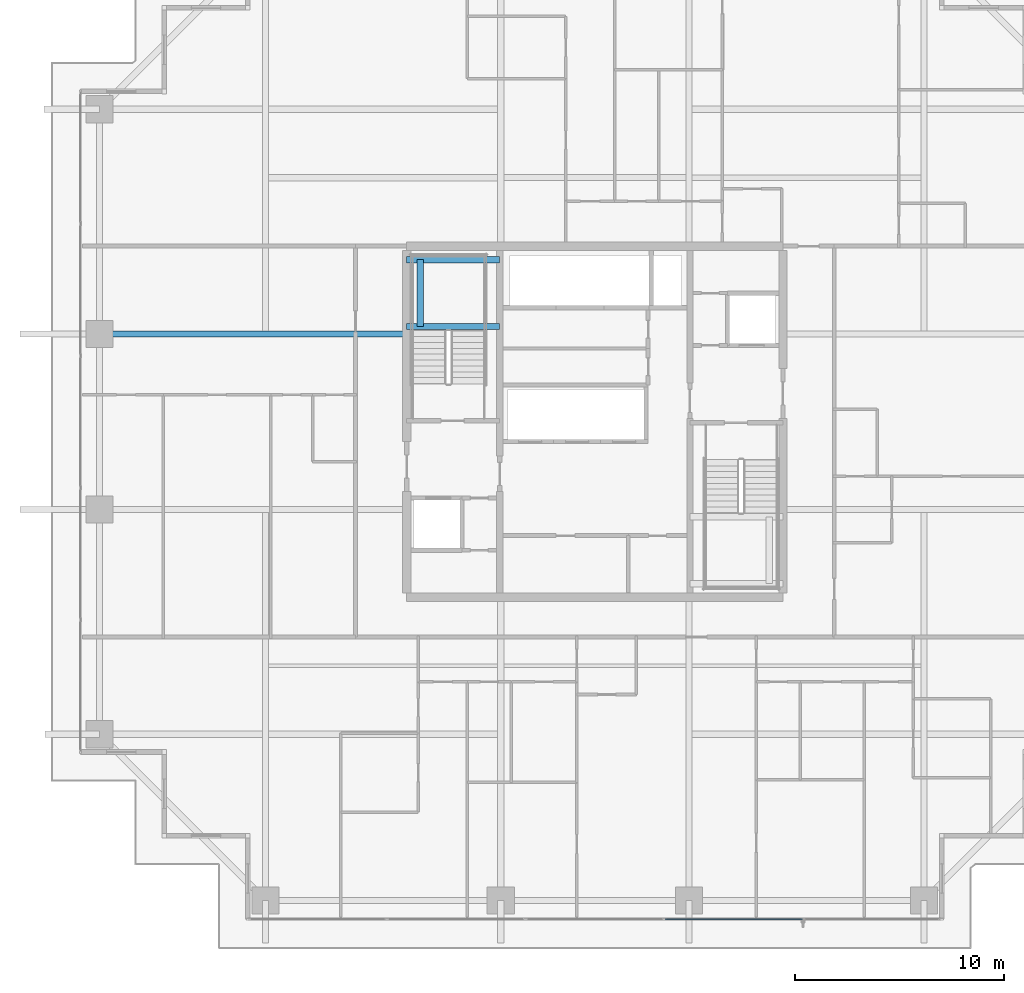
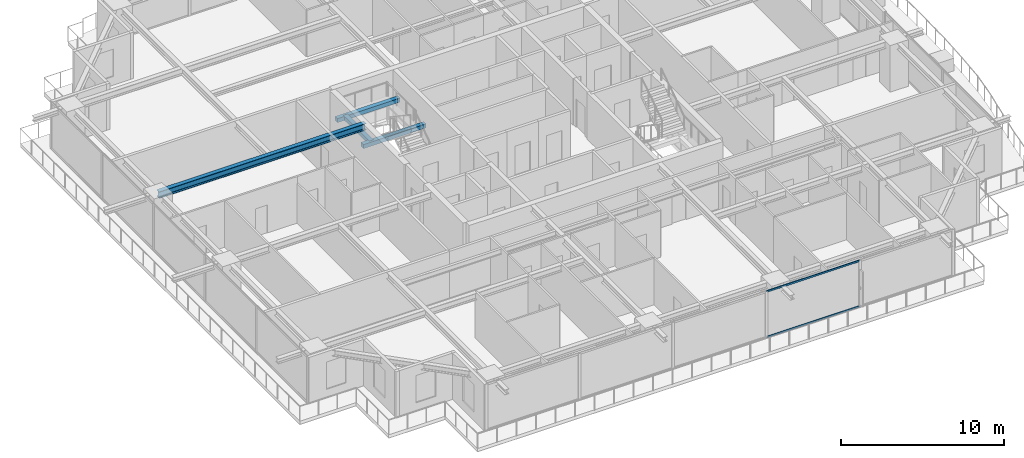
# One storey, part 9 of 34: 4 beams, 2 members, 1 element without a shape of its own.
"""IFC4 building model written with IfcOpenShell, lengths in metres."""

from ifc_helpers import new_model, si_unit, direction, frame, origin, origin_2d, place, context, subcontext, project, spatial, rectangle, hollow_rectangle, i_section, extrude, source, transform, mapped, material, layer, layer_set, material_profile, profile_set, type_object, element, aggregate, save


model = new_model("IFC4")

# Units and contexts
model_context = context("Model", 3, precision=1e-05, world=origin(), true_north=direction((0.0, 1.0)))
body_context = subcontext(model_context, "Body", "Model", "MODEL_VIEW")
ifc_project = project(units=[si_unit("LENGTHUNIT", "METRE"), si_unit("AREAUNIT", "SQUARE_METRE"), si_unit("VOLUMEUNIT", "CUBIC_METRE"), si_unit("PLANEANGLEUNIT", "RADIAN"), si_unit("MASSUNIT", "GRAM", prefix="KILO")], contexts=[model_context])

# Site, building, storey
site_placement = place(None, origin())
site = spatial("IfcSite", under=ifc_project, at=site_placement, CompositionType="ELEMENT")
building_placement = place(site_placement, origin())
building = spatial("IfcBuilding", under=site, at=building_placement, Name="Serunith Strait Residences", CompositionType="ELEMENT")
storey_placement = place(building_placement, frame((0.0, 0.0, 135.14990234375)))
storey = spatial("IfcBuildingStorey", under=building, at=storey_placement, Name="L33", CompositionType="ELEMENT", Elevation=135.14990234375)

# Beams
ifc_material_1 = material(Name="Steel S355J2", Category="steel")
ifc_material_profile_1 = material_profile(ifc_material_1, i_section(OverallWidth=0.300048828125, OverallDepth=0.5, WebThickness=0.014404296875, FlangeThickness=0.028076171875, FilletRadius=0.027099609375, at=origin_2d()), Name="HEB 500")
ifc_profile_set_1 = profile_set([ifc_material_profile_1], Name="Steel S355J2")
beam_type_1 = type_object("IfcBeamType", Name="BM-HEB500", PredefinedType="BEAM", material=ifc_profile_set_1)
shared_shape_1 = source(origin(), body_context, "Body", "SweptSolid", [
    extrude(i_section(OverallWidth=0.300048828125, OverallDepth=0.5, WebThickness=0.014404296875, FlangeThickness=0.028076171875, FilletRadius=0.027099609375, at=origin_2d()), origin(), (0.0, 0.0, 1.0), 14.699951171875),
])
beam_1_placement = place(storey_placement, frame((23.39990234375, 29.39990234375, 3.237060546875), z_axis=(-1.0, 0.0, 0.0), x_axis=(0.0, -1.0, 0.0)))
element("IfcBeam", 1, at=beam_1_placement, inside=storey, type_object=beam_type_1, Name="L33 Primary Floor Girder TC-W3", PredefinedType="BEAM", context=body_context, shape_type="MappedRepresentation", body=[
    mapped(shared_shape_1, transform((0.0, 0.0, 0.0), scale=1.0)),
])
ifc_material_2 = material(Name="Concrete C60/75", Category="concrete")
ifc_material_profile_2 = material_profile(ifc_material_2, rectangle(XDim=0.300048828125, YDim=0.300048828125, at=origin_2d()), Name="RC 300x300")
ifc_profile_set_2 = profile_set([ifc_material_profile_2], Name="Concrete C60/75")
beam_type_2 = type_object("IfcBeamType", Name="BM-LAND-300x300", PredefinedType="BEAM", material=ifc_profile_set_2)
shared_shape_2 = source(origin(), body_context, "Body", "SweptSolid", [
    extrude(rectangle(XDim=0.300048828125, YDim=0.300048828125, at=origin_2d()), origin(), (0.0, 0.0, 1.0), 4.4501953125),
])
for number, where, z_axis, x_axis, name in (
    (2, (23.39990234375, 29.75, 1.525146484375), (1.0, 0.0, 0.0), (0.0, 1.0, 0.0), "L33 ST-1 Landing Support Beam 1"),
    (3, (23.39990234375, 32.949951171875, 1.525146484375), (1.0, 0.0, 0.0), (0.0, 1.0, 0.0), "L33 ST-1 Landing Support Beam 2"),
):
    element("IfcBeam", number, at=place(storey_placement, frame(where, z_axis=z_axis, x_axis=x_axis)), inside=storey, type_object=beam_type_2, Name=name, PredefinedType="BEAM", context=body_context, shape_type="MappedRepresentation", body=[
        mapped(shared_shape_2, transform((0.0, 0.0, 0.0), scale=1.0)),
    ])
shared_shape_3 = source(origin(), body_context, "Body", "SweptSolid", [
    extrude(rectangle(XDim=0.300048828125, YDim=0.300048828125, at=origin_2d()), origin(), (0.0, 0.0, 1.0), 3.199951171875),
])
beam_2_placement = place(storey_placement, frame((24.050048828125, 29.75, 1.525146484375), z_axis=(0.0, 1.0, 0.0), x_axis=(-1.0, 0.0, 0.0)))
element("IfcBeam", 4, at=beam_2_placement, inside=storey, type_object=beam_type_2, Name="L33 ST-1 Landing Transverse Tie Beam", PredefinedType="BEAM", context=body_context, shape_type="MappedRepresentation", body=[
    mapped(shared_shape_3, transform((0.0, 0.0, 0.0), scale=1.0)),
])

# Curtain wall, members
ifc_material_3 = material(Name="Pale-Champagne Anodised Aluminium", Category="aluminium")
ifc_layer = layer(ifc_material_3, 0.199951171875, Name="Pale-Champagne Anodised Aluminium")
ifc_layer_set = layer_set([ifc_layer], Name="Pale-Champagne Anodised Aluminium")
curtain_wall_type = type_object("IfcCurtainWallType", Name="CW-SYS2", PredefinedType="NOTDEFINED", material=ifc_layer_set)
curtain_wall_placement = place(storey_placement, origin())
curtain_wall = element("IfcCurtainWall", 5, at=curtain_wall_placement, inside=storey, type_object=curtain_wall_type, Name="L33 S Unitised Fritted Curtain Wall", PredefinedType="NOTDEFINED")
ifc_material_profile_3 = material_profile(ifc_material_3, hollow_rectangle(XDim=0.06005859375, YDim=0.139892578125, WallThickness=0.00341796875, InnerFilletRadius=0.00537109375, OuterFilletRadius=0.0087890625, at=origin_2d()), Name="ALU 140x60x3.5")
ifc_profile_set_3 = profile_set([ifc_material_profile_3], Name="Pale-Champagne Anodised Aluminium")
member_type = type_object("IfcMemberType", Name="CW-SYS2-TRAN", PredefinedType="USERDEFINED", material=ifc_profile_set_3)
shared_shape_4 = source(origin(), body_context, "Body", "SweptSolid", [
    extrude(hollow_rectangle(XDim=0.06005859375, YDim=0.139892578125, WallThickness=0.00341796875, InnerFilletRadius=0.00537109375, OuterFilletRadius=0.0087890625, at=origin_2d()), origin(), (0.0, 0.0, 1.0), 6.570068359375),
])
member_1_placement = place(storey_placement, frame((35.7548828125, 1.39990234375, 0.030029296875), z_axis=(1.0, 0.0, 0.0), x_axis=(0.0, 1.0, 0.0)))
member_1 = element("IfcMember", 6, at=member_1_placement, type_object=member_type, Name="CW-2 transom 4.1", ObjectType="TRANSOM", PredefinedType="USERDEFINED", context=body_context, shape_type="MappedRepresentation", body=[
    mapped(shared_shape_4, transform((0.0, 0.0, 0.0), scale=1.0)),
])
member_2_placement = place(storey_placement, frame((35.7548828125, 1.39990234375, 3.445068359375), z_axis=(1.0, 0.0, 0.0), x_axis=(0.0, 1.0, 0.0)))
member_2 = element("IfcMember", 7, at=member_2_placement, type_object=member_type, Name="CW-2 transom 4.2", ObjectType="TRANSOM", PredefinedType="USERDEFINED", context=body_context, shape_type="MappedRepresentation", body=[
    mapped(shared_shape_4, transform((0.0, 0.0, 0.0), scale=1.0)),
])
aggregate(curtain_wall, [member_1, member_2])

save(model, "model.ifc")
